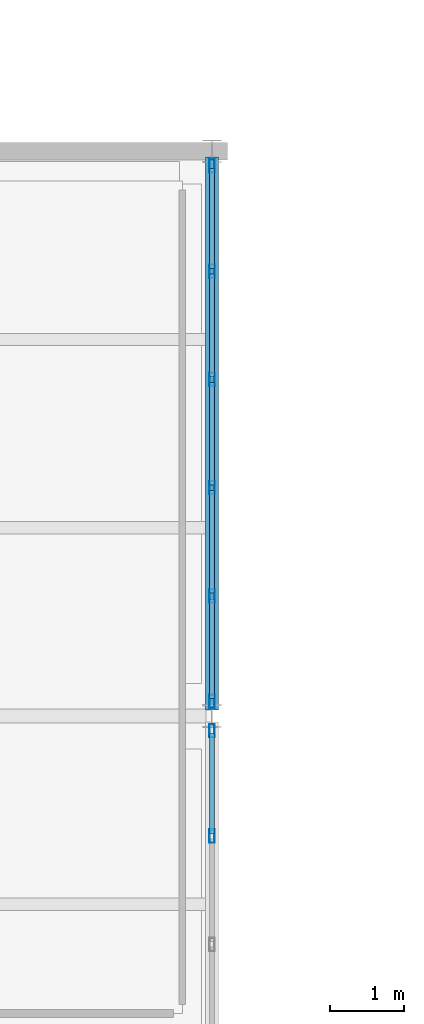
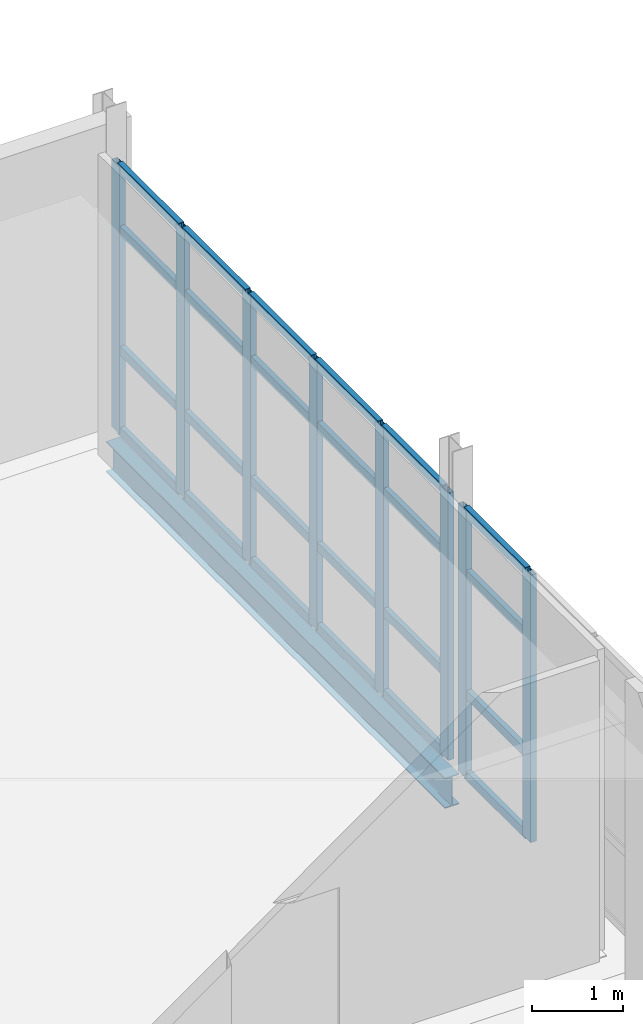
# One storey, part 80 of 174: 32 members, 1 beam, 2 elements without a shape of their own.
"""IFC4 building model written with IfcOpenShell, lengths in metres."""

from ifc_helpers import new_model, si_unit, direction, frame, origin, origin_2d, place, context, subcontext, project, spatial, hollow_rectangle, i_section, extrude, material, material_profile, profile_set, type_object, element, aggregate, save


model = new_model("IFC4")

# Units and contexts
model_context = context("Model", 3, precision=1e-05, world=origin(), true_north=direction((0.0, 1.0)))
body_context = subcontext(model_context, "Body", "Model", "MODEL_VIEW")
ifc_project = project(units=[si_unit("LENGTHUNIT", "METRE"), si_unit("AREAUNIT", "SQUARE_METRE"), si_unit("VOLUMEUNIT", "CUBIC_METRE"), si_unit("PLANEANGLEUNIT", "RADIAN"), si_unit("MASSUNIT", "GRAM", prefix="KILO")], contexts=[model_context])

# Site, building, storey
site_placement = place(None, origin())
site = spatial("IfcSite", under=ifc_project, at=site_placement, CompositionType="ELEMENT")
building_placement = place(site_placement, origin())
building = spatial("IfcBuilding", under=site, at=building_placement, Name="Caisbarro Railhouse Central Library", CompositionType="ELEMENT")
storey_placement = place(building_placement, frame((0.0, 0.0, 5.0400390625)))
storey = spatial("IfcBuildingStorey", under=building, at=storey_placement, Name="L01", CompositionType="ELEMENT", Elevation=5.0400390625)

# Beam
ifc_material_1 = material(Name="Steel ASTM A572 Grade 50", Category="steel")
ifc_material_profile_1 = material_profile(ifc_material_1, i_section(OverallWidth=0.177978515625, OverallDepth=0.406982421875, WebThickness=0.0078125, FlangeThickness=0.0126953125, FilletRadius=0.01611328125, at=origin_2d()), Name="W410X60.0")
ifc_profile_set_1 = profile_set([ifc_material_profile_1], Name="Steel ASTM A572 Grade 50")
beam_type = type_object("IfcBeamType", Name="BM-G10", PredefinedType="BEAM", material=ifc_profile_set_1)
beam_placement = place(storey_placement, frame((36.0, 98.8798828125, -0.403564453125), z_axis=(0.0, 1.0, 0.0), x_axis=(-1.0, 0.0, 0.0)))
element("IfcBeam", 1, at=beam_placement, inside=storey, type_object=beam_type, Name="G10 beam L01 #1038", PredefinedType="BEAM", context=body_context, shape_type="SweptSolid", body=[
    extrude(i_section(OverallWidth=0.177978515625, OverallDepth=0.406982421875, WebThickness=0.0078125, FlangeThickness=0.0126953125, FilletRadius=0.01611328125, at=origin_2d()), origin(), (0.0, 0.0, 1.0), 7.440185546875),
])

# Curtain wall, members
ifc_material_2 = material(Name="Anodised architectural aluminium", Category="aluminium")
curtain_wall_type = type_object("IfcCurtainWallType", Name="CW-CW02", PredefinedType="NOTDEFINED", material=ifc_material_2)
curtain_wall_1_placement = place(storey_placement, origin())
curtain_wall_1 = element("IfcCurtainWall", 2, at=curtain_wall_1_placement, inside=storey, type_object=curtain_wall_type, Name="CW02 curtain wall L01 #84", PredefinedType="NOTDEFINED")
ifc_material_profile_2 = material_profile(ifc_material_2, hollow_rectangle(XDim=0.074951171875, YDim=0.179931640625, WallThickness=0.00439453125, at=origin_2d()), Name="ALU-MUL-75X180")
ifc_profile_set_2 = profile_set([ifc_material_profile_2], Name="Anodised architectural aluminium")
member_type_1 = type_object("IfcMemberType", Name="CWM-M01", PredefinedType="MULLION", material=ifc_profile_set_2)
member_1_placement = place(storey_placement, frame((36.0, 97.18408203125, 0.0), z_axis=(0.0, 0.0, 1.0), x_axis=(-1.0, 0.0, 0.0)))
member_1 = element("IfcMember", 3, at=member_1_placement, type_object=member_type_1, Name="CW02 mullion 5", PredefinedType="MULLION", context=body_context, shape_type="SweptSolid", body=[
    extrude(hollow_rectangle(XDim=0.074951171875, YDim=0.179931640625, WallThickness=0.00439453125, at=origin_2d()), origin(), (0.0, 0.0, 1.0), 3.580078125),
])
member_2_placement = place(storey_placement, frame((36.0, 98.6025390625, 0.0), z_axis=(0.0, 0.0, 1.0), x_axis=(-1.0, 0.0, 0.0)))
member_2 = element("IfcMember", 4, at=member_2_placement, type_object=member_type_1, Name="CW02 mullion 6", PredefinedType="MULLION", context=body_context, shape_type="SweptSolid", body=[
    extrude(hollow_rectangle(XDim=0.074951171875, YDim=0.179931640625, WallThickness=0.00439453125, at=origin_2d()), origin(), (0.0, 0.0, 1.0), 3.580078125),
])

curtain_wall_2_placement = place(storey_placement, origin())
curtain_wall_2 = element("IfcCurtainWall", 5, at=curtain_wall_2_placement, inside=storey, type_object=curtain_wall_type, Name="CW02 curtain wall L01 #85", PredefinedType="NOTDEFINED")
member_3_placement = place(storey_placement, frame((36.0, 98.99755859375, 0.0), z_axis=(0.0, 0.0, 1.0), x_axis=(-1.0, 0.0, 0.0)))
member_3 = element("IfcMember", 6, at=member_3_placement, type_object=member_type_1, Name="CW02 mullion 1", PredefinedType="MULLION", context=body_context, shape_type="SweptSolid", body=[
    extrude(hollow_rectangle(XDim=0.074951171875, YDim=0.179931640625, WallThickness=0.00439453125, at=origin_2d()), origin(), (0.0, 0.0, 1.0), 3.580078125),
])
member_4_placement = place(storey_placement, frame((36.0, 100.416015625, 0.0), z_axis=(0.0, 0.0, 1.0), x_axis=(-1.0, 0.0, 0.0)))
member_4 = element("IfcMember", 7, at=member_4_placement, type_object=member_type_1, Name="CW02 mullion 2", PredefinedType="MULLION", context=body_context, shape_type="SweptSolid", body=[
    extrude(hollow_rectangle(XDim=0.074951171875, YDim=0.179931640625, WallThickness=0.00439453125, at=origin_2d()), origin(), (0.0, 0.0, 1.0), 3.580078125),
])
member_5_placement = place(storey_placement, frame((36.0, 101.8720703125, 0.0), z_axis=(0.0, 0.0, 1.0), x_axis=(-1.0, 0.0, 0.0)))
member_5 = element("IfcMember", 8, at=member_5_placement, type_object=member_type_1, Name="CW02 mullion 3", PredefinedType="MULLION", context=body_context, shape_type="SweptSolid", body=[
    extrude(hollow_rectangle(XDim=0.074951171875, YDim=0.179931640625, WallThickness=0.00439453125, at=origin_2d()), origin(), (0.0, 0.0, 1.0), 3.580078125),
])
member_6_placement = place(storey_placement, frame((36.0, 103.327880859375, 0.0), z_axis=(0.0, 0.0, 1.0), x_axis=(-1.0, 0.0, 0.0)))
member_6 = element("IfcMember", 9, at=member_6_placement, type_object=member_type_1, Name="CW02 mullion 4", PredefinedType="MULLION", context=body_context, shape_type="SweptSolid", body=[
    extrude(hollow_rectangle(XDim=0.074951171875, YDim=0.179931640625, WallThickness=0.00439453125, at=origin_2d()), origin(), (0.0, 0.0, 1.0), 3.580078125),
])
member_7_placement = place(storey_placement, frame((36.0, 104.783935546875, 0.0), z_axis=(0.0, 0.0, 1.0), x_axis=(-1.0, 0.0, 0.0)))
member_7 = element("IfcMember", 10, at=member_7_placement, type_object=member_type_1, Name="CW02 mullion 5", PredefinedType="MULLION", context=body_context, shape_type="SweptSolid", body=[
    extrude(hollow_rectangle(XDim=0.074951171875, YDim=0.179931640625, WallThickness=0.00439453125, at=origin_2d()), origin(), (0.0, 0.0, 1.0), 3.580078125),
])
member_8_placement = place(storey_placement, frame((36.0, 106.202392578125, 0.0), z_axis=(0.0, 0.0, 1.0), x_axis=(-1.0, 0.0, 0.0)))
member_8 = element("IfcMember", 11, at=member_8_placement, type_object=member_type_1, Name="CW02 mullion 6", PredefinedType="MULLION", context=body_context, shape_type="SweptSolid", body=[
    extrude(hollow_rectangle(XDim=0.074951171875, YDim=0.179931640625, WallThickness=0.00439453125, at=origin_2d()), origin(), (0.0, 0.0, 1.0), 3.580078125),
])

# Member
ifc_material_profile_3 = material_profile(ifc_material_2, hollow_rectangle(XDim=0.06494140625, YDim=0.1201171875, WallThickness=0.00341796875, at=origin_2d()), Name="ALU-TRN-65X120")
ifc_profile_set_3 = profile_set([ifc_material_profile_3], Name="Anodised architectural aluminium")
member_type_2 = type_object("IfcMemberType", Name="CWT-T02", PredefinedType="USERDEFINED", material=ifc_profile_set_3)
member_9_placement = place(storey_placement, frame((36.0, 97.221435546875, 0.032470703125), z_axis=(0.0, 1.0, 0.0), x_axis=(-1.0, 0.0, 0.0)))
member_9 = element("IfcMember", 12, at=member_9_placement, type_object=member_type_2, Name="CW02 transom 5.1", ObjectType="TRANSOM", PredefinedType="USERDEFINED", context=body_context, shape_type="SweptSolid", body=[
    extrude(hollow_rectangle(XDim=0.06494140625, YDim=0.1201171875, WallThickness=0.00341796875, at=origin_2d()), origin(), (0.0, 0.0, 1.0), 1.343505859375),
])

member_10_placement = place(storey_placement, frame((36.0, 97.221435546875, 1.119873046875), z_axis=(0.0, 1.0, 0.0), x_axis=(-1.0, 0.0, 0.0)))
member_10 = element("IfcMember", 13, at=member_10_placement, type_object=member_type_2, Name="CW02 transom 5.2", ObjectType="TRANSOM", PredefinedType="USERDEFINED", context=body_context, shape_type="SweptSolid", body=[
    extrude(hollow_rectangle(XDim=0.06494140625, YDim=0.1201171875, WallThickness=0.00341796875, at=origin_2d()), origin(), (0.0, 0.0, 1.0), 1.343505859375),
])

member_11_placement = place(storey_placement, frame((36.0, 97.221435546875, 2.72998046875), z_axis=(0.0, 1.0, 0.0), x_axis=(-1.0, 0.0, 0.0)))
member_11 = element("IfcMember", 14, at=member_11_placement, type_object=member_type_2, Name="CW02 transom 5.3", ObjectType="TRANSOM", PredefinedType="USERDEFINED", context=body_context, shape_type="SweptSolid", body=[
    extrude(hollow_rectangle(XDim=0.06494140625, YDim=0.1201171875, WallThickness=0.00341796875, at=origin_2d()), origin(), (0.0, 0.0, 1.0), 1.343505859375),
])

member_12_placement = place(storey_placement, frame((36.0, 97.221435546875, 3.54736328125), z_axis=(0.0, 1.0, 0.0), x_axis=(-1.0, 0.0, 0.0)))
member_12 = element("IfcMember", 15, at=member_12_placement, type_object=member_type_2, Name="CW02 transom 5.4", ObjectType="TRANSOM", PredefinedType="USERDEFINED", context=body_context, shape_type="SweptSolid", body=[
    extrude(hollow_rectangle(XDim=0.06494140625, YDim=0.1201171875, WallThickness=0.00341796875, at=origin_2d()), origin(), (0.0, 0.0, 1.0), 1.343505859375),
])

aggregate(curtain_wall_1, [member_1, member_2, member_9, member_10, member_11, member_12])

member_13_placement = place(storey_placement, frame((36.0, 99.034912109375, 0.032470703125), z_axis=(0.0, 1.0, 0.0), x_axis=(-1.0, 0.0, 0.0)))
member_13 = element("IfcMember", 16, at=member_13_placement, type_object=member_type_2, Name="CW02 transom 1.1", ObjectType="TRANSOM", PredefinedType="USERDEFINED", context=body_context, shape_type="SweptSolid", body=[
    extrude(hollow_rectangle(XDim=0.06494140625, YDim=0.1201171875, WallThickness=0.00341796875, at=origin_2d()), origin(), (0.0, 0.0, 1.0), 1.343505859375),
])

member_14_placement = place(storey_placement, frame((36.0, 99.034912109375, 1.119873046875), z_axis=(0.0, 1.0, 0.0), x_axis=(-1.0, 0.0, 0.0)))
member_14 = element("IfcMember", 17, at=member_14_placement, type_object=member_type_2, Name="CW02 transom 1.2", ObjectType="TRANSOM", PredefinedType="USERDEFINED", context=body_context, shape_type="SweptSolid", body=[
    extrude(hollow_rectangle(XDim=0.06494140625, YDim=0.1201171875, WallThickness=0.00341796875, at=origin_2d()), origin(), (0.0, 0.0, 1.0), 1.343505859375),
])

member_15_placement = place(storey_placement, frame((36.0, 99.034912109375, 2.72998046875), z_axis=(0.0, 1.0, 0.0), x_axis=(-1.0, 0.0, 0.0)))
member_15 = element("IfcMember", 18, at=member_15_placement, type_object=member_type_2, Name="CW02 transom 1.3", ObjectType="TRANSOM", PredefinedType="USERDEFINED", context=body_context, shape_type="SweptSolid", body=[
    extrude(hollow_rectangle(XDim=0.06494140625, YDim=0.1201171875, WallThickness=0.00341796875, at=origin_2d()), origin(), (0.0, 0.0, 1.0), 1.343505859375),
])

member_16_placement = place(storey_placement, frame((36.0, 99.034912109375, 3.54736328125), z_axis=(0.0, 1.0, 0.0), x_axis=(-1.0, 0.0, 0.0)))
member_16 = element("IfcMember", 19, at=member_16_placement, type_object=member_type_2, Name="CW02 transom 1.4", ObjectType="TRANSOM", PredefinedType="USERDEFINED", context=body_context, shape_type="SweptSolid", body=[
    extrude(hollow_rectangle(XDim=0.06494140625, YDim=0.1201171875, WallThickness=0.00341796875, at=origin_2d()), origin(), (0.0, 0.0, 1.0), 1.343505859375),
])

member_17_placement = place(storey_placement, frame((36.0, 100.45361328125, 0.032470703125), z_axis=(0.0, 1.0, 0.0), x_axis=(-1.0, 0.0, 0.0)))
member_17 = element("IfcMember", 20, at=member_17_placement, type_object=member_type_2, Name="CW02 transom 2.1", ObjectType="TRANSOM", PredefinedType="USERDEFINED", context=body_context, shape_type="SweptSolid", body=[
    extrude(hollow_rectangle(XDim=0.06494140625, YDim=0.1201171875, WallThickness=0.00341796875, at=origin_2d()), origin(), (0.0, 0.0, 1.0), 1.380859375),
])

member_18_placement = place(storey_placement, frame((36.0, 100.45361328125, 1.119873046875), z_axis=(0.0, 1.0, 0.0), x_axis=(-1.0, 0.0, 0.0)))
member_18 = element("IfcMember", 21, at=member_18_placement, type_object=member_type_2, Name="CW02 transom 2.2", ObjectType="TRANSOM", PredefinedType="USERDEFINED", context=body_context, shape_type="SweptSolid", body=[
    extrude(hollow_rectangle(XDim=0.06494140625, YDim=0.1201171875, WallThickness=0.00341796875, at=origin_2d()), origin(), (0.0, 0.0, 1.0), 1.380859375),
])

member_19_placement = place(storey_placement, frame((36.0, 100.45361328125, 2.72998046875), z_axis=(0.0, 1.0, 0.0), x_axis=(-1.0, 0.0, 0.0)))
member_19 = element("IfcMember", 22, at=member_19_placement, type_object=member_type_2, Name="CW02 transom 2.3", ObjectType="TRANSOM", PredefinedType="USERDEFINED", context=body_context, shape_type="SweptSolid", body=[
    extrude(hollow_rectangle(XDim=0.06494140625, YDim=0.1201171875, WallThickness=0.00341796875, at=origin_2d()), origin(), (0.0, 0.0, 1.0), 1.380859375),
])

member_20_placement = place(storey_placement, frame((36.0, 100.45361328125, 3.54736328125), z_axis=(0.0, 1.0, 0.0), x_axis=(-1.0, 0.0, 0.0)))
member_20 = element("IfcMember", 23, at=member_20_placement, type_object=member_type_2, Name="CW02 transom 2.4", ObjectType="TRANSOM", PredefinedType="USERDEFINED", context=body_context, shape_type="SweptSolid", body=[
    extrude(hollow_rectangle(XDim=0.06494140625, YDim=0.1201171875, WallThickness=0.00341796875, at=origin_2d()), origin(), (0.0, 0.0, 1.0), 1.380859375),
])

member_21_placement = place(storey_placement, frame((36.0, 101.909423828125, 0.032470703125), z_axis=(0.0, 1.0, 0.0), x_axis=(-1.0, 0.0, 0.0)))
member_21 = element("IfcMember", 24, at=member_21_placement, type_object=member_type_2, Name="CW02 transom 3.1", ObjectType="TRANSOM", PredefinedType="USERDEFINED", context=body_context, shape_type="SweptSolid", body=[
    extrude(hollow_rectangle(XDim=0.06494140625, YDim=0.1201171875, WallThickness=0.00341796875, at=origin_2d()), origin(), (0.0, 0.0, 1.0), 1.381103515625),
])

member_22_placement = place(storey_placement, frame((36.0, 101.909423828125, 1.119873046875), z_axis=(0.0, 1.0, 0.0), x_axis=(-1.0, 0.0, 0.0)))
member_22 = element("IfcMember", 25, at=member_22_placement, type_object=member_type_2, Name="CW02 transom 3.2", ObjectType="TRANSOM", PredefinedType="USERDEFINED", context=body_context, shape_type="SweptSolid", body=[
    extrude(hollow_rectangle(XDim=0.06494140625, YDim=0.1201171875, WallThickness=0.00341796875, at=origin_2d()), origin(), (0.0, 0.0, 1.0), 1.381103515625),
])

member_23_placement = place(storey_placement, frame((36.0, 101.909423828125, 2.72998046875), z_axis=(0.0, 1.0, 0.0), x_axis=(-1.0, 0.0, 0.0)))
member_23 = element("IfcMember", 26, at=member_23_placement, type_object=member_type_2, Name="CW02 transom 3.3", ObjectType="TRANSOM", PredefinedType="USERDEFINED", context=body_context, shape_type="SweptSolid", body=[
    extrude(hollow_rectangle(XDim=0.06494140625, YDim=0.1201171875, WallThickness=0.00341796875, at=origin_2d()), origin(), (0.0, 0.0, 1.0), 1.381103515625),
])

member_24_placement = place(storey_placement, frame((36.0, 101.909423828125, 3.54736328125), z_axis=(0.0, 1.0, 0.0), x_axis=(-1.0, 0.0, 0.0)))
member_24 = element("IfcMember", 27, at=member_24_placement, type_object=member_type_2, Name="CW02 transom 3.4", ObjectType="TRANSOM", PredefinedType="USERDEFINED", context=body_context, shape_type="SweptSolid", body=[
    extrude(hollow_rectangle(XDim=0.06494140625, YDim=0.1201171875, WallThickness=0.00341796875, at=origin_2d()), origin(), (0.0, 0.0, 1.0), 1.381103515625),
])

member_25_placement = place(storey_placement, frame((36.0, 103.365478515625, 0.032470703125), z_axis=(0.0, 1.0, 0.0), x_axis=(-1.0, 0.0, 0.0)))
member_25 = element("IfcMember", 28, at=member_25_placement, type_object=member_type_2, Name="CW02 transom 4.1", ObjectType="TRANSOM", PredefinedType="USERDEFINED", context=body_context, shape_type="SweptSolid", body=[
    extrude(hollow_rectangle(XDim=0.06494140625, YDim=0.1201171875, WallThickness=0.00341796875, at=origin_2d()), origin(), (0.0, 0.0, 1.0), 1.381103515625),
])

member_26_placement = place(storey_placement, frame((36.0, 103.365478515625, 1.119873046875), z_axis=(0.0, 1.0, 0.0), x_axis=(-1.0, 0.0, 0.0)))
member_26 = element("IfcMember", 29, at=member_26_placement, type_object=member_type_2, Name="CW02 transom 4.2", ObjectType="TRANSOM", PredefinedType="USERDEFINED", context=body_context, shape_type="SweptSolid", body=[
    extrude(hollow_rectangle(XDim=0.06494140625, YDim=0.1201171875, WallThickness=0.00341796875, at=origin_2d()), origin(), (0.0, 0.0, 1.0), 1.381103515625),
])

member_27_placement = place(storey_placement, frame((36.0, 103.365478515625, 2.72998046875), z_axis=(0.0, 1.0, 0.0), x_axis=(-1.0, 0.0, 0.0)))
member_27 = element("IfcMember", 30, at=member_27_placement, type_object=member_type_2, Name="CW02 transom 4.3", ObjectType="TRANSOM", PredefinedType="USERDEFINED", context=body_context, shape_type="SweptSolid", body=[
    extrude(hollow_rectangle(XDim=0.06494140625, YDim=0.1201171875, WallThickness=0.00341796875, at=origin_2d()), origin(), (0.0, 0.0, 1.0), 1.381103515625),
])

member_28_placement = place(storey_placement, frame((36.0, 103.365478515625, 3.54736328125), z_axis=(0.0, 1.0, 0.0), x_axis=(-1.0, 0.0, 0.0)))
member_28 = element("IfcMember", 31, at=member_28_placement, type_object=member_type_2, Name="CW02 transom 4.4", ObjectType="TRANSOM", PredefinedType="USERDEFINED", context=body_context, shape_type="SweptSolid", body=[
    extrude(hollow_rectangle(XDim=0.06494140625, YDim=0.1201171875, WallThickness=0.00341796875, at=origin_2d()), origin(), (0.0, 0.0, 1.0), 1.381103515625),
])

member_29_placement = place(storey_placement, frame((36.0, 104.821533203125, 0.032470703125), z_axis=(0.0, 1.0, 0.0), x_axis=(-1.0, 0.0, 0.0)))
member_29 = element("IfcMember", 32, at=member_29_placement, type_object=member_type_2, Name="CW02 transom 5.1", ObjectType="TRANSOM", PredefinedType="USERDEFINED", context=body_context, shape_type="SweptSolid", body=[
    extrude(hollow_rectangle(XDim=0.06494140625, YDim=0.1201171875, WallThickness=0.00341796875, at=origin_2d()), origin(), (0.0, 0.0, 1.0), 1.343505859375),
])

member_30_placement = place(storey_placement, frame((36.0, 104.821533203125, 1.119873046875), z_axis=(0.0, 1.0, 0.0), x_axis=(-1.0, 0.0, 0.0)))
member_30 = element("IfcMember", 33, at=member_30_placement, type_object=member_type_2, Name="CW02 transom 5.2", ObjectType="TRANSOM", PredefinedType="USERDEFINED", context=body_context, shape_type="SweptSolid", body=[
    extrude(hollow_rectangle(XDim=0.06494140625, YDim=0.1201171875, WallThickness=0.00341796875, at=origin_2d()), origin(), (0.0, 0.0, 1.0), 1.343505859375),
])

member_31_placement = place(storey_placement, frame((36.0, 104.821533203125, 2.72998046875), z_axis=(0.0, 1.0, 0.0), x_axis=(-1.0, 0.0, 0.0)))
member_31 = element("IfcMember", 34, at=member_31_placement, type_object=member_type_2, Name="CW02 transom 5.3", ObjectType="TRANSOM", PredefinedType="USERDEFINED", context=body_context, shape_type="SweptSolid", body=[
    extrude(hollow_rectangle(XDim=0.06494140625, YDim=0.1201171875, WallThickness=0.00341796875, at=origin_2d()), origin(), (0.0, 0.0, 1.0), 1.343505859375),
])

member_32_placement = place(storey_placement, frame((36.0, 104.821533203125, 3.54736328125), z_axis=(0.0, 1.0, 0.0), x_axis=(-1.0, 0.0, 0.0)))
member_32 = element("IfcMember", 35, at=member_32_placement, type_object=member_type_2, Name="CW02 transom 5.4", ObjectType="TRANSOM", PredefinedType="USERDEFINED", context=body_context, shape_type="SweptSolid", body=[
    extrude(hollow_rectangle(XDim=0.06494140625, YDim=0.1201171875, WallThickness=0.00341796875, at=origin_2d()), origin(), (0.0, 0.0, 1.0), 1.343505859375),
])

aggregate(curtain_wall_2, [member_3, member_4, member_5, member_6, member_7, member_8, member_13, member_14, member_15, member_16, member_17, member_18, member_19, member_20, member_21, member_22, member_23, member_24, member_25, member_26, member_27, member_28, member_29, member_30, member_31, member_32])

save(model, "model.ifc")
